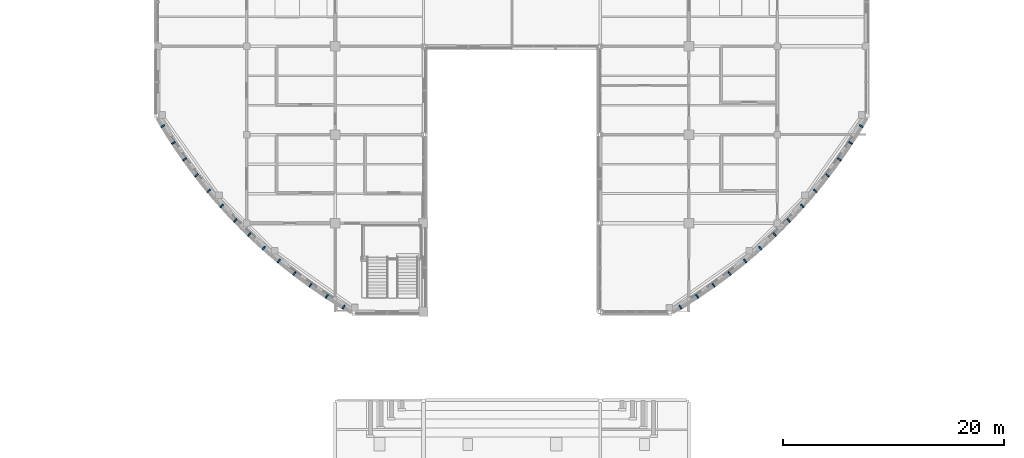
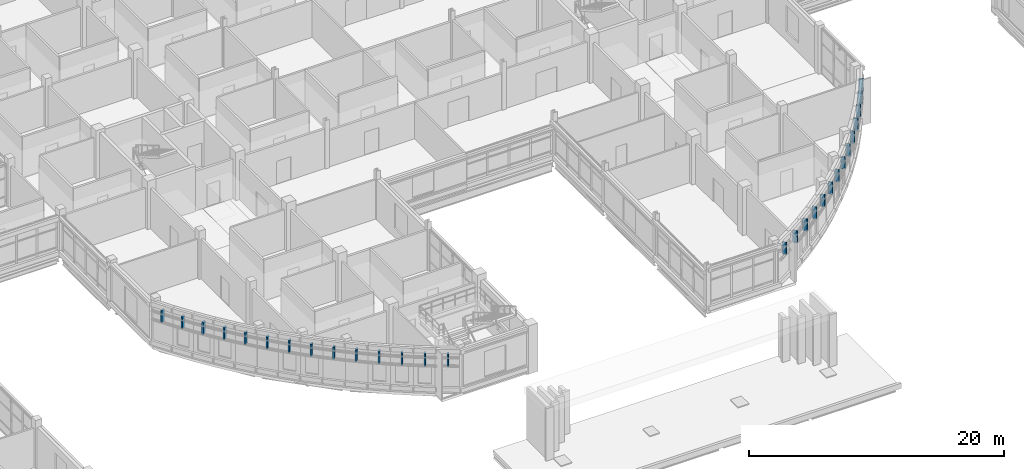
# One storey, part 99 of 121: 28 discrete accessories.
"""IFC4 building model written with IfcOpenShell, lengths in metres."""

from ifc_helpers import new_model, si_unit, derived_unit, direction, frame, origin, origin_2d, place, context, subcontext, project, spatial, rectangle, extrude, material, type_object, element, save


model = new_model("IFC4")

# Units and contexts
model_context = context("Model", 3, precision=1e-05, world=origin(), true_north=direction((0.0, 1.0)))
body_context = subcontext(model_context, "Body", "Model", "MODEL_VIEW")
ifc_project = project(units=[si_unit("LENGTHUNIT", "METRE"), si_unit("AREAUNIT", "SQUARE_METRE"), si_unit("VOLUMEUNIT", "CUBIC_METRE"), si_unit("PLANEANGLEUNIT", "RADIAN"), si_unit("MASSUNIT", "GRAM", prefix="KILO"), derived_unit("THERMALTRANSMITTANCEUNIT", [(si_unit("MASSUNIT", "GRAM", prefix="KILO"), 1), (si_unit("TIMEUNIT", "SECOND"), -3), (si_unit("THERMODYNAMICTEMPERATUREUNIT", "KELVIN"), -1)])], contexts=[model_context])

# Site, building, storey
site_placement = place(None, origin())
site = spatial("IfcSite", under=ifc_project, at=site_placement, CompositionType="ELEMENT")
building_placement = place(site_placement, origin())
building = spatial("IfcBuilding", under=site, at=building_placement, Name="Veyamyaing Civic Hall", CompositionType="ELEMENT")
storey_placement = place(building_placement, frame((0.0, 0.0, 5.280029296875)))
storey = spatial("IfcBuildingStorey", under=building, at=storey_placement, Name="L01", CompositionType="ELEMENT", Elevation=5.280029296875)

# Discrete accessories
ifc_material = material(Name="Steel S355J2", Category="steel")
discrete_accessory_type = type_object("IfcDiscreteAccessoryType", Name="BK-01", PredefinedType="BRACKET", material=ifc_material)
for number, where, z_axis, x_axis, name in (
    (1, (56.42041015625, 32.774658203125, 2.72509765625), (0.0, 0.0, 1.0), (-0.856524554554, -0.516106275341, 0.0), "Ribbon support bracket BK-01 L01 SW.1"),
    (2, (57.376220703125, 31.25341796875, 2.72509765625), (0.0, 0.0, 1.0), (-0.836627765432, -0.547771833986, 0.0), "Ribbon support bracket BK-01 L01 SW.2"),
    (3, (58.388427734375, 29.768798828125, 2.72509765625), (0.0, 0.0, 1.0), (-0.815560869203, -0.578671295836, 0.0), "Ribbon support bracket BK-01 L01 SW.3"),
    (4, (59.455078125, 28.3232421875, 2.72509765625), (0.0, 0.0, 1.0), (-0.793353339122, -0.608761430532, 0.0), "Ribbon support bracket BK-01 L01 SW.4"),
    (5, (60.575439453125, 26.918701171875, 2.72509765625), (0.0, 0.0, 1.0), (-0.770036237186, -0.638000151583, 0.0), "Ribbon support bracket BK-01 L01 SW.5"),
    (6, (61.747314453125, 25.556884765625, 2.72509765625), (0.0, 0.0, 1.0), (-0.745642163228, -0.666346579804, 0.0), "Ribbon support bracket BK-01 L01 SW.6"),
    (7, (62.969482421875, 24.23974609375, 2.72509765625), (0.0, 0.0, 1.0), (-0.720205244388, -0.693761058259, 0.0), "Ribbon support bracket BK-01 L01 SW.7"),
    (8, (64.23974609375, 22.969482421875, 2.72509765625), (0.0, 0.0, 1.0), (-0.693761058259, -0.720205244388, 0.0), "Ribbon support bracket BK-01 L01 SW.8"),
    (9, (65.556884765625, 21.747314453125, 2.72509765625), (0.0, 0.0, 1.0), (-0.666346579804, -0.745642163228, 0.0), "Ribbon support bracket BK-01 L01 SW.9"),
    (10, (66.918701171875, 20.575439453125, 2.72509765625), (0.0, 0.0, 1.0), (-0.638000151583, -0.770036237186, 0.0), "Ribbon support bracket BK-01 L01 SW.10"),
    (11, (68.3232421875, 19.455078125, 2.72509765625), (0.0, 0.0, 1.0), (-0.608761430532, -0.793353339122, 0.0), "Ribbon support bracket BK-01 L01 SW.11"),
    (12, (69.768798828125, 18.388427734375, 2.72509765625), (0.0, 0.0, 1.0), (-0.578671295836, -0.815560869203, 0.0), "Ribbon support bracket BK-01 L01 SW.12"),
    (13, (71.25341796875, 17.376220703125, 2.72509765625), (0.0, 0.0, 1.0), (-0.547771833986, -0.836627765432, 0.0), "Ribbon support bracket BK-01 L01 SW.13"),
    (14, (72.774658203125, 16.42041015625, 2.72509765625), (0.0, 0.0, 1.0), (-0.516106275341, -0.856524554554, 0.0), "Ribbon support bracket BK-01 L01 SW.14"),
    (15, (103.225341796875, 16.42041015625, 2.72509765625), (0.0, 0.0, 1.0), (0.516106275341, -0.856524554554, 0.0), "Ribbon support bracket BK-01 L01 SE.1"),
    (16, (104.74658203125, 17.376220703125, 2.72509765625), (0.0, 0.0, 1.0), (0.547771833986, -0.836627765432, 0.0), "Ribbon support bracket BK-01 L01 SE.2"),
    (17, (106.231201171875, 18.388427734375, 2.72509765625), (0.0, 0.0, 1.0), (0.578671295836, -0.815560869203, 0.0), "Ribbon support bracket BK-01 L01 SE.3"),
    (18, (107.6767578125, 19.455078125, 2.72509765625), (0.0, 0.0, 1.0), (0.608761430532, -0.793353339122, 0.0), "Ribbon support bracket BK-01 L01 SE.4"),
    (19, (109.081298828125, 20.575439453125, 2.72509765625), (0.0, 0.0, 1.0), (0.638000151583, -0.770036237186, 0.0), "Ribbon support bracket BK-01 L01 SE.5"),
    (20, (110.443115234375, 21.747314453125, 2.72509765625), (0.0, 0.0, 1.0), (0.666346579804, -0.745642163228, 0.0), "Ribbon support bracket BK-01 L01 SE.6"),
    (21, (111.76025390625, 22.969482421875, 2.72509765625), (0.0, 0.0, 1.0), (0.693761058259, -0.720205244388, 0.0), "Ribbon support bracket BK-01 L01 SE.7"),
    (22, (113.030517578125, 24.23974609375, 2.72509765625), (0.0, 0.0, 1.0), (0.720205244388, -0.693761058259, 0.0), "Ribbon support bracket BK-01 L01 SE.8"),
    (23, (114.252685546875, 25.556884765625, 2.72509765625), (0.0, 0.0, 1.0), (0.745642163228, -0.666346579804, 0.0), "Ribbon support bracket BK-01 L01 SE.9"),
    (24, (115.424560546875, 26.918701171875, 2.72509765625), (0.0, 0.0, 1.0), (0.770036237186, -0.638000151583, 0.0), "Ribbon support bracket BK-01 L01 SE.10"),
    (25, (116.544921875, 28.3232421875, 2.72509765625), (0.0, 0.0, 1.0), (0.793353339122, -0.608761430532, 0.0), "Ribbon support bracket BK-01 L01 SE.11"),
    (26, (117.611572265625, 29.768798828125, 2.72509765625), (0.0, 0.0, 1.0), (0.815560869203, -0.578671295836, 0.0), "Ribbon support bracket BK-01 L01 SE.12"),
    (27, (118.623779296875, 31.25341796875, 2.72509765625), (0.0, 0.0, 1.0), (0.836627765432, -0.547771833986, 0.0), "Ribbon support bracket BK-01 L01 SE.13"),
    (28, (119.57958984375, 32.774658203125, 2.72509765625), (0.0, 0.0, 1.0), (0.856524554554, -0.516106275341, 0.0), "Ribbon support bracket BK-01 L01 SE.14"),
):
    element("IfcDiscreteAccessory", number, at=place(storey_placement, frame(where, z_axis=z_axis, x_axis=x_axis)), inside=storey, type_object=discrete_accessory_type, Name=name, PredefinedType="BRACKET", context=body_context, shape_type="SweptSolid", body=[
        extrude(rectangle(XDim=0.3798828125, YDim=0.139892578125, at=origin_2d()), origin(), (0.0, 0.0, 1.0), 1.14990234375),
    ])

save(model, "model.ifc")
